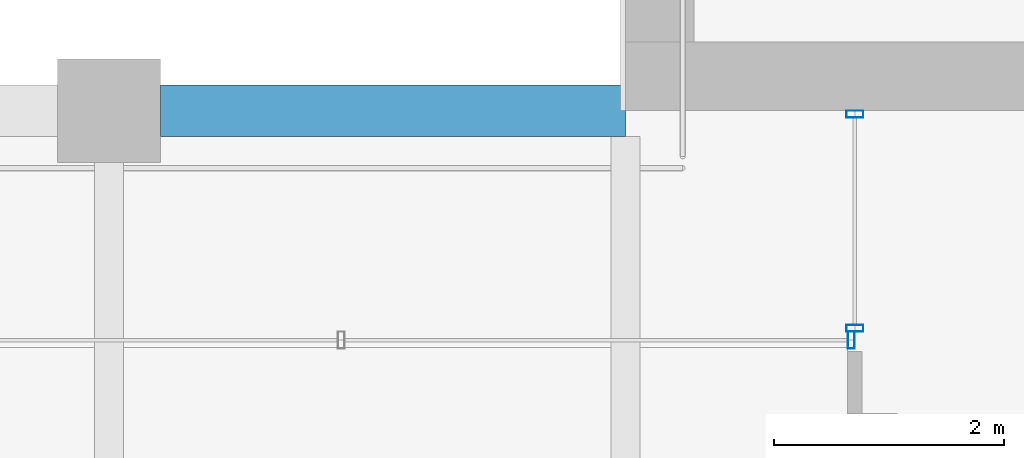
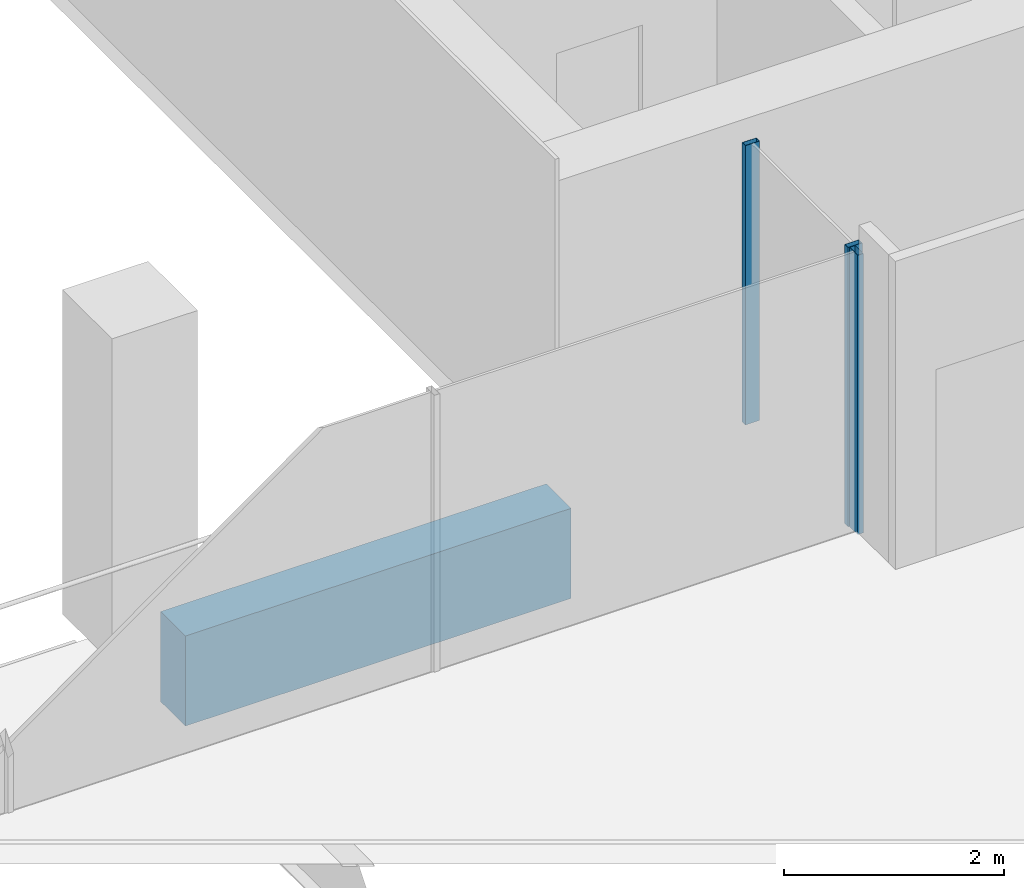
# One storey, part 6 of 40: 3 members, 1 beam, 2 elements without a shape of their own.
"""IFC4 building model written with IfcOpenShell, lengths in metres."""

from ifc_helpers import new_model, si_unit, direction, frame, origin, origin_2d, place, context, subcontext, project, spatial, rectangle, hollow_rectangle, extrude, material, material_profile, profile_set, type_object, element, aggregate, save


model = new_model("IFC4")

# Units and contexts
model_context = context("Model", 3, precision=1e-05, world=origin(), true_north=direction((0.0, 1.0)))
body_context = subcontext(model_context, "Body", "Model", "MODEL_VIEW")
ifc_project = project(units=[si_unit("LENGTHUNIT", "METRE"), si_unit("AREAUNIT", "SQUARE_METRE"), si_unit("VOLUMEUNIT", "CUBIC_METRE"), si_unit("PLANEANGLEUNIT", "RADIAN"), si_unit("MASSUNIT", "GRAM", prefix="KILO")], contexts=[model_context])

# Site, building, storey
site_placement = place(None, origin())
site = spatial("IfcSite", under=ifc_project, at=site_placement, CompositionType="ELEMENT")
building_placement = place(site_placement, origin())
building = spatial("IfcBuilding", under=site, at=building_placement, Name="Altepetl Exchange Towers", CompositionType="ELEMENT")
storey_placement = place(building_placement, frame((0.0, 0.0, 165.39990234375)))
storey = spatial("IfcBuildingStorey", under=building, at=storey_placement, Name="L41", CompositionType="ELEMENT", Elevation=165.39990234375)

# Curtain wall, members
ifc_material_1 = material(Name="Aluminium 6063-T6 glazing", Category="aluminium")
curtain_wall_type = type_object("IfcCurtainWallType", Name="Loggia glazing system", PredefinedType="NOTDEFINED", material=ifc_material_1)
curtain_wall_1_placement = place(storey_placement, origin())
curtain_wall_1 = element("IfcCurtainWall", 1, at=curtain_wall_1_placement, inside=storey, type_object=curtain_wall_type, Name="CW1 run", PredefinedType="NOTDEFINED")
ifc_material_2 = material(Name="Aluminium 6063-T6", Category="aluminium")
ifc_material_profile_1 = material_profile(ifc_material_2, hollow_rectangle(XDim=0.06005859375, YDim=0.14990234375, WallThickness=0.0029296875, at=origin_2d()), Name="Mullion 60x150 aluminium")
ifc_profile_set_1 = profile_set([ifc_material_profile_1], Name="Aluminium 6063-T6")
member_type = type_object("IfcMemberType", Name="Mullion 60x150 aluminium", PredefinedType="MULLION", material=ifc_profile_set_1)
member_1_placement = place(storey_placement, frame((42.5, 40.469970703125, 0.0), z_axis=(0.0, 0.0, 1.0), x_axis=(0.0, -1.0, 0.0)))
member_1 = element("IfcMember", 2, at=member_1_placement, type_object=member_type, Name="MU1 mullion", PredefinedType="MULLION", context=body_context, shape_type="SweptSolid", body=[
    extrude(hollow_rectangle(XDim=0.06005859375, YDim=0.14990234375, WallThickness=0.0029296875, at=origin_2d()), origin(), (0.0, 0.0, 1.0), 3.10009765625),
])
member_2_placement = place(storey_placement, frame((42.5, 38.60498046875, 0.0), z_axis=(0.0, 0.0, 1.0), x_axis=(0.0, -1.0, 0.0)))
member_2 = element("IfcMember", 3, at=member_2_placement, type_object=member_type, Name="MU1 mullion", PredefinedType="MULLION", context=body_context, shape_type="SweptSolid", body=[
    extrude(hollow_rectangle(XDim=0.06005859375, YDim=0.14990234375, WallThickness=0.0029296875, at=origin_2d()), origin(), (0.0, 0.0, 1.0), 3.10009765625),
])
aggregate(curtain_wall_1, [member_1, member_2])

# Curtain wall, member
curtain_wall_2_placement = place(storey_placement, origin())
curtain_wall_2 = element("IfcCurtainWall", 4, at=curtain_wall_2_placement, inside=storey, type_object=curtain_wall_type, Name="CW1 run", PredefinedType="NOTDEFINED")
member_3_placement = place(storey_placement, frame((42.469970703125, 38.5, 0.0), z_axis=(0.0, 0.0, 1.0), x_axis=(-1.0, 0.0, 0.0)))
member_3 = element("IfcMember", 5, at=member_3_placement, type_object=member_type, Name="MU1 mullion", PredefinedType="MULLION", context=body_context, shape_type="SweptSolid", body=[
    extrude(hollow_rectangle(XDim=0.06005859375, YDim=0.14990234375, WallThickness=0.0029296875, at=origin_2d()), origin(), (0.0, 0.0, 1.0), 3.10009765625),
])
aggregate(curtain_wall_2, [member_3])

# Beam
ifc_material_3 = material(Name="Concrete C50/60 precast with tezontle facing", Category="concrete")
ifc_material_profile_2 = material_profile(ifc_material_3, rectangle(XDim=0.449951171875, YDim=1.0, at=origin_2d()), Name="450 x 1000")
ifc_profile_set_2 = profile_set([ifc_material_profile_2], Name="Concrete C50/60 precast with tezontle facing")
beam_type = type_object("IfcBeamType", Name="Spandrel beam 450x1000 tezontle", PredefinedType="SPANDREL", material=ifc_profile_set_2)
beam_placement = place(storey_placement, frame((40.5, 40.5, -0.64990234375), z_axis=(-1.0, 0.0, 0.0), x_axis=(0.0, -1.0, 0.0)))
element("IfcBeam", 6, at=beam_placement, inside=storey, type_object=beam_type, Name="sp:A:L41:033", PredefinedType="SPANDREL", context=body_context, shape_type="SweptSolid", body=[
    extrude(rectangle(XDim=0.449951171875, YDim=1.0, at=origin_2d()), origin(), (0.0, 0.0, 1.0), 4.050048828125),
])

save(model, "model.ifc")
